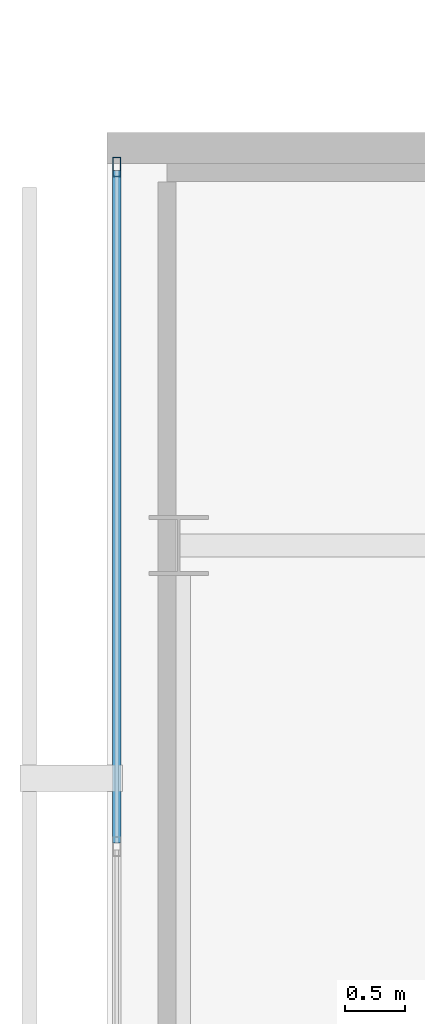
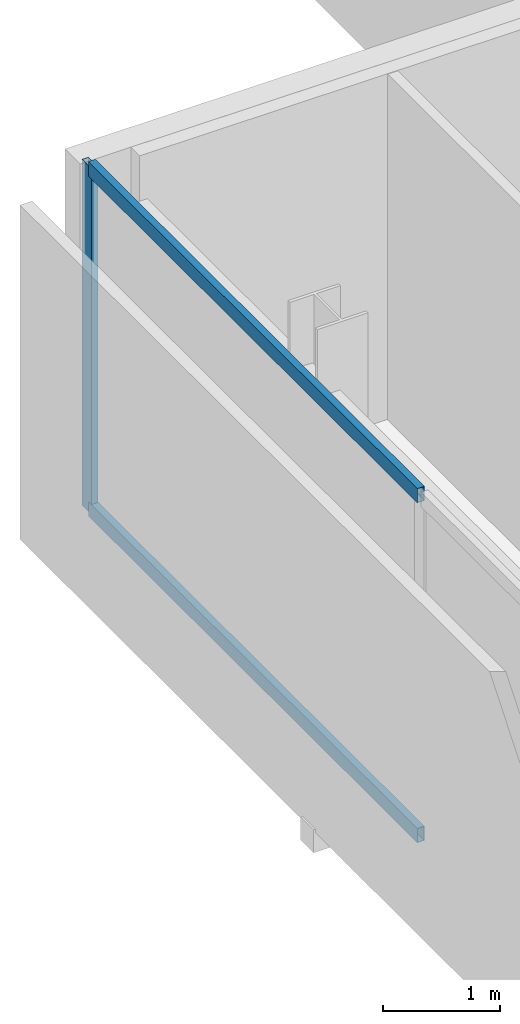
# One storey, part 14 of 24: 3 members, 1 element without a shape of its own.
"""IFC4 building model written with IfcOpenShell, lengths in metres."""

from ifc_helpers import new_model, si_unit, direction, frame, origin, origin_2d, place, context, subcontext, project, spatial, hollow_rectangle, extrude, material, layer, layer_set, material_profile, profile_set, type_object, element, aggregate, save


model = new_model("IFC4")

# Units and contexts
model_context = context("Model", 3, precision=1e-05, world=origin(), true_north=direction((0.0, 1.0)))
body_context = subcontext(model_context, "Body", "Model", "MODEL_VIEW")
ifc_project = project(units=[si_unit("LENGTHUNIT", "METRE"), si_unit("AREAUNIT", "SQUARE_METRE"), si_unit("VOLUMEUNIT", "CUBIC_METRE"), si_unit("PLANEANGLEUNIT", "RADIAN"), si_unit("MASSUNIT", "GRAM", prefix="KILO")], contexts=[model_context])

# Site, building, storey
site_placement = place(None, origin())
site = spatial("IfcSite", under=ifc_project, at=site_placement, CompositionType="ELEMENT")
building_placement = place(site_placement, origin())
building = spatial("IfcBuilding", under=site, at=building_placement, Name="Maruvema Waterfront Hotel and Observation Tower", CompositionType="ELEMENT")
storey_placement = place(building_placement, frame((0.0, 0.0, 333.550048828125)))
storey = spatial("IfcBuildingStorey", under=building, at=storey_placement, Name="L82", CompositionType="ELEMENT", Elevation=333.550048828125)

# Curtain wall, members
ifc_material_1 = material(Name="Anodised bronze aluminium and solar-control low-E IGU", Category="aluminium")
ifc_layer = layer(ifc_material_1, 0.159912109375, Name="Zone 4 Sky Residence Inner Curtain Wall System CW-05")
ifc_layer_set = layer_set([ifc_layer], Name="Anodised bronze aluminium and solar-control low-E IGU")
curtain_wall_type = type_object("IfcCurtainWallType", Name="Zone 4 Sky Residence Inner Curtain Wall System CW-05", PredefinedType="USERDEFINED", material=ifc_layer_set)
curtain_wall_placement = place(storey_placement, origin())
curtain_wall = element("IfcCurtainWall", 1, at=curtain_wall_placement, inside=storey, type_object=curtain_wall_type, Name="L82 Curtain Wall CW-L82-W", ObjectType="UNITISED CURTAIN WALL", PredefinedType="USERDEFINED")
ifc_material_2 = material(Name="Anodised architectural bronze aluminium", Category="aluminium")
ifc_material_profile_1 = material_profile(ifc_material_2, hollow_rectangle(XDim=0.070068359375, YDim=0.14990234375, WallThickness=0.00390625, at=origin_2d()), Name="ALU-T70x150")
ifc_profile_set_1 = profile_set([ifc_material_profile_1], Name="Anodised architectural bronze aluminium")
member_type_1 = type_object("IfcMemberType", Name="Curtain Wall Horizontal Transom ALU-T70x150", PredefinedType="USERDEFINED", material=ifc_profile_set_1)
member_1_placement = place(storey_placement, frame((17.780029296875, 48.139892578125, 0.030029296875), z_axis=(0.0, -1.0, 0.0), x_axis=(1.0, 0.0, 0.0)))
member_1 = element("IfcMember", 2, at=member_1_placement, type_object=member_type_1, Name="CW-05 transom 1.1", ObjectType="TRANSOM", PredefinedType="USERDEFINED", context=body_context, shape_type="SweptSolid", body=[
    extrude(hollow_rectangle(XDim=0.070068359375, YDim=0.14990234375, WallThickness=0.00390625, at=origin_2d()), origin(), (0.0, 0.0, 1.0), 5.6298828125),
])
member_2_placement = place(storey_placement, frame((17.780029296875, 48.139892578125, 3.579833984375), z_axis=(0.0, -1.0, 0.0), x_axis=(1.0, 0.0, 0.0)))
member_2 = element("IfcMember", 3, at=member_2_placement, type_object=member_type_1, Name="CW-05 transom 1.2", ObjectType="TRANSOM", PredefinedType="USERDEFINED", context=body_context, shape_type="SweptSolid", body=[
    extrude(hollow_rectangle(XDim=0.070068359375, YDim=0.14990234375, WallThickness=0.00390625, at=origin_2d()), origin(), (0.0, 0.0, 1.0), 5.6298828125),
])
ifc_material_3 = material(Name="Anodised architectural bronze aluminium", Category="aluminium")
ifc_material_profile_2 = material_profile(ifc_material_3, hollow_rectangle(XDim=0.06494140625, YDim=0.1650390625, WallThickness=0.00390625, at=origin_2d()), Name="ALU-M65x165")
ifc_profile_set_2 = profile_set([ifc_material_profile_2], Name="Anodised architectural bronze aluminium")
member_type_2 = type_object("IfcMemberType", Name="Curtain Wall Primary Mullion ALU-M65x165", PredefinedType="MULLION", material=ifc_profile_set_2)
member_3_placement = place(storey_placement, frame((17.780029296875, 48.169921875, 0.0), z_axis=(0.0, 0.0, 1.0), x_axis=(1.0, 0.0, 0.0)))
member_3 = element("IfcMember", 4, at=member_3_placement, type_object=member_type_2, Name="CW-05 mullion 1", PredefinedType="MULLION", context=body_context, shape_type="SweptSolid", body=[
    extrude(hollow_rectangle(XDim=0.06494140625, YDim=0.1650390625, WallThickness=0.00390625, at=origin_2d()), origin(), (0.0, 0.0, 1.0), 3.60986328125),
])
aggregate(curtain_wall, [member_3, member_1, member_2])

save(model, "model.ifc")
